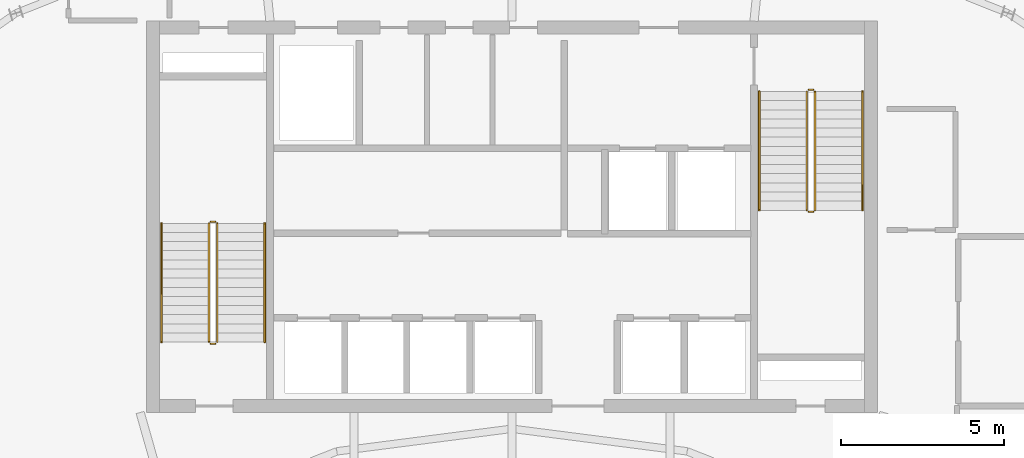
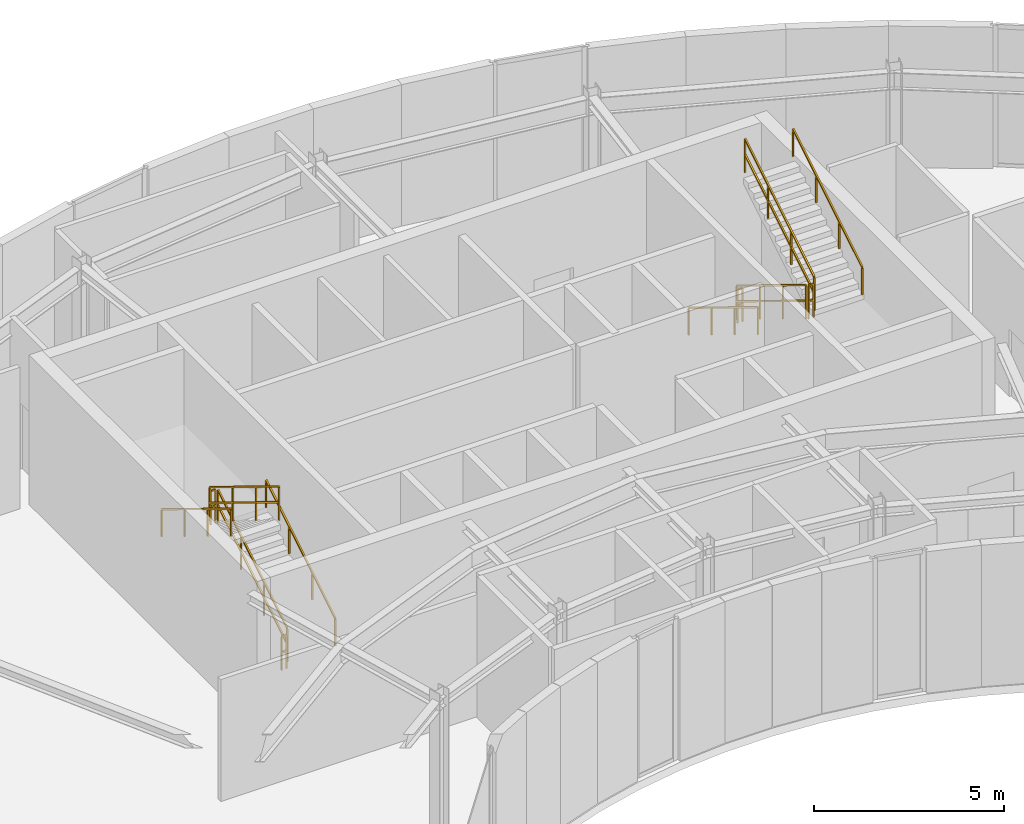
# One storey, part 10 of 10: 12 railings.
"""IFC4 building model written with IfcOpenShell, lengths in metres."""

from ifc_helpers import new_model, si_unit, direction, frame, origin, origin_2d, place, context, subcontext, project, spatial, rectangle, extrude, material, type_object, element, save


model = new_model("IFC4")

# Units and contexts
model_context = context("Model", 3, precision=1e-05, world=origin(), true_north=direction((0.0, 1.0)))
body_context = subcontext(model_context, "Body", "Model", "MODEL_VIEW")
ifc_project = project(units=[si_unit("LENGTHUNIT", "METRE"), si_unit("AREAUNIT", "SQUARE_METRE"), si_unit("VOLUMEUNIT", "CUBIC_METRE"), si_unit("PLANEANGLEUNIT", "RADIAN"), si_unit("MASSUNIT", "GRAM", prefix="KILO")], contexts=[model_context])

# Site, building, storey
site_placement = place(None, origin())
site = spatial("IfcSite", under=ifc_project, at=site_placement, CompositionType="ELEMENT")
building_placement = place(site_placement, origin())
building = spatial("IfcBuilding", under=site, at=building_placement, Name="Breltana Convention Tower", CompositionType="ELEMENT")
storey_placement = place(building_placement, frame((0.0, 0.0, 303.0)))
storey = spatial("IfcBuildingStorey", under=building, at=storey_placement, Name="L74", CompositionType="ELEMENT", Elevation=303.0)

# Railings
ifc_material_1 = material(Name="Steel S275 Painted", Category="steel")
railing_type_1 = type_object("IfcRailingType", Name="RL-STAIR-GUARD-1100", PredefinedType="GUARDRAIL", material=ifc_material_1)
railing_1_placement = place(storey_placement, frame((38.9599609375, 62.360107421875, 0.17138671875)))
element("IfcRailing", 1, at=railing_1_placement, inside=storey, type_object=railing_type_1, Name="L74 ST-1 stair guard 1", PredefinedType="GUARDRAIL", context=body_context, shape_type="SweptSolid", body=[
    extrude(rectangle(XDim=0.048095703125, YDim=0.048095703125, at=origin_2d()), frame((0.0, 0.0, 1.076171875), z_axis=(0.0, 0.852850264322, 0.5221555579), x_axis=(-1.0, 0.0, 0.0)), (0.0, 0.0, 1.0), 4.267822265625),
    extrude(rectangle(XDim=0.048095703125, YDim=0.048095703125, at=origin_2d()), frame((0.0, 0.0, 0.572021484375), z_axis=(0.0, 0.852850264322, 0.5221555579), x_axis=(-1.0, 0.0, 0.0)), (0.0, 0.0, 1.0), 4.267822265625),
    extrude(rectangle(XDim=0.0419921875, YDim=0.0419921875, at=origin_2d()), origin(), (0.0, 0.0, 1.0), 1.052001953125),
    extrude(rectangle(XDim=0.0419921875, YDim=0.0419921875, at=origin_2d()), frame((0.0, 1.21337890625, 0.742919921875)), (0.0, 0.0, 1.0), 1.052001953125),
    extrude(rectangle(XDim=0.0419921875, YDim=0.0419921875, at=origin_2d()), frame((0.0, 2.426513671875, 1.485595703125)), (0.0, 0.0, 1.0), 1.052001953125),
    extrude(rectangle(XDim=0.0419921875, YDim=0.0419921875, at=origin_2d()), frame((0.0, 3.639892578125, 2.228515625)), (0.0, 0.0, 1.0), 1.052001953125),
])
railing_2_placement = place(storey_placement, frame((38.909912109375, 66.050048828125, 2.39990234375)))
element("IfcRailing", 2, at=railing_2_placement, inside=storey, type_object=railing_type_1, Name="L74 ST-1 stair guard 2", PredefinedType="GUARDRAIL", context=body_context, shape_type="SweptSolid", body=[
    extrude(rectangle(XDim=0.048095703125, YDim=0.048095703125, at=origin_2d()), frame((0.0, 0.0, 1.076171875), z_axis=(-1.0, 0.0, 0.0), x_axis=(0.0, -1.0, 0.0)), (0.0, 0.0, 1.0), 0.14990234375),
    extrude(rectangle(XDim=0.048095703125, YDim=0.048095703125, at=origin_2d()), frame((0.0, 0.0, 0.572021484375), z_axis=(-1.0, 0.0, 0.0), x_axis=(0.0, -1.0, 0.0)), (0.0, 0.0, 1.0), 0.14990234375),
    extrude(rectangle(XDim=0.0419921875, YDim=0.0419921875, at=origin_2d()), origin(), (0.0, 0.0, 1.0), 1.052001953125),
    extrude(rectangle(XDim=0.0419921875, YDim=0.0419921875, at=origin_2d()), frame((-0.14990234375, 0.0, 0.0)), (0.0, 0.0, 1.0), 1.052001953125),
])
railing_3_placement = place(storey_placement, frame((38.7099609375, 66.0, 2.571533203125)))
element("IfcRailing", 3, at=railing_3_placement, inside=storey, type_object=railing_type_1, Name="L74 ST-1 stair guard 3", PredefinedType="GUARDRAIL", context=body_context, shape_type="SweptSolid", body=[
    extrude(rectangle(XDim=0.048095703125, YDim=0.048095703125, at=origin_2d()), frame((0.0, 0.0, 1.076171875), z_axis=(0.0, -0.852850264322, 0.5221555579), x_axis=(1.0, 0.0, 0.0)), (0.0, 0.0, 1.0), 4.267822265625),
    extrude(rectangle(XDim=0.048095703125, YDim=0.048095703125, at=origin_2d()), frame((0.0, 0.0, 0.572021484375), z_axis=(0.0, -0.852850264322, 0.5221555579), x_axis=(1.0, 0.0, 0.0)), (0.0, 0.0, 1.0), 4.267822265625),
    extrude(rectangle(XDim=0.0419921875, YDim=0.0419921875, at=origin_2d()), origin(), (0.0, 0.0, 1.0), 1.052001953125),
    extrude(rectangle(XDim=0.0419921875, YDim=0.0419921875, at=origin_2d()), frame((0.0, -1.21337890625, 0.742919921875)), (0.0, 0.0, 1.0), 1.052001953125),
    extrude(rectangle(XDim=0.0419921875, YDim=0.0419921875, at=origin_2d()), frame((0.0, -2.426513671875, 1.485595703125)), (0.0, 0.0, 1.0), 1.052001953125),
    extrude(rectangle(XDim=0.0419921875, YDim=0.0419921875, at=origin_2d()), frame((0.0, -3.639892578125, 2.228515625)), (0.0, 0.0, 1.0), 1.052001953125),
])
railing_4_placement = place(storey_placement, frame((38.909912109375, 62.31005859375, 0.0)))
element("IfcRailing", 4, at=railing_4_placement, inside=storey, type_object=railing_type_1, Name="L74 ST-1 stair guard 4", PredefinedType="GUARDRAIL", context=body_context, shape_type="SweptSolid", body=[
    extrude(rectangle(XDim=0.048095703125, YDim=0.048095703125, at=origin_2d()), frame((0.0, 0.0, 1.076171875), z_axis=(-1.0, 0.0, 0.0), x_axis=(0.0, -1.0, 0.0)), (0.0, 0.0, 1.0), 0.14990234375),
    extrude(rectangle(XDim=0.048095703125, YDim=0.048095703125, at=origin_2d()), frame((0.0, 0.0, 0.572021484375), z_axis=(-1.0, 0.0, 0.0), x_axis=(0.0, -1.0, 0.0)), (0.0, 0.0, 1.0), 0.14990234375),
    extrude(rectangle(XDim=0.0419921875, YDim=0.0419921875, at=origin_2d()), origin(), (0.0, 0.0, 1.0), 1.052001953125),
    extrude(rectangle(XDim=0.0419921875, YDim=0.0419921875, at=origin_2d()), frame((-0.14990234375, 0.0, 0.0)), (0.0, 0.0, 1.0), 1.052001953125),
])
railing_5_placement = place(storey_placement, frame((57.0400390625, 70.0400390625, 0.17138671875)))
element("IfcRailing", 5, at=railing_5_placement, inside=storey, type_object=railing_type_1, Name="L74 ST-2 stair guard 1", PredefinedType="GUARDRAIL", context=body_context, shape_type="SweptSolid", body=[
    extrude(rectangle(XDim=0.048095703125, YDim=0.048095703125, at=origin_2d()), frame((0.0, 0.0, 1.076171875), z_axis=(0.0, -0.852865859571, 0.52213008492), x_axis=(1.0, 0.0, 0.0)), (0.0, 0.0, 1.0), 4.26806640625),
    extrude(rectangle(XDim=0.048095703125, YDim=0.048095703125, at=origin_2d()), frame((0.0, 0.0, 0.572021484375), z_axis=(0.0, -0.852865859571, 0.52213008492), x_axis=(1.0, 0.0, 0.0)), (0.0, 0.0, 1.0), 4.26806640625),
    extrude(rectangle(XDim=0.0419921875, YDim=0.0419921875, at=origin_2d()), origin(), (0.0, 0.0, 1.0), 1.052001953125),
    extrude(rectangle(XDim=0.0419921875, YDim=0.0419921875, at=origin_2d()), frame((0.0, -1.21337890625, 0.742919921875)), (0.0, 0.0, 1.0), 1.052001953125),
    extrude(rectangle(XDim=0.0419921875, YDim=0.0419921875, at=origin_2d()), frame((0.0, -2.4267578125, 1.485595703125)), (0.0, 0.0, 1.0), 1.052001953125),
    extrude(rectangle(XDim=0.0419921875, YDim=0.0419921875, at=origin_2d()), frame((0.0, -3.64013671875, 2.228515625)), (0.0, 0.0, 1.0), 1.052001953125),
])
railing_6_placement = place(storey_placement, frame((57.090087890625, 66.35009765625, 2.39990234375)))
element("IfcRailing", 6, at=railing_6_placement, inside=storey, type_object=railing_type_1, Name="L74 ST-2 stair guard 2", PredefinedType="GUARDRAIL", context=body_context, shape_type="SweptSolid", body=[
    extrude(rectangle(XDim=0.048095703125, YDim=0.048095703125, at=origin_2d()), frame((0.0, 0.0, 1.076171875), z_axis=(1.0, 0.0, 0.0), x_axis=(0.0, 1.0, 0.0)), (0.0, 0.0, 1.0), 0.14990234375),
    extrude(rectangle(XDim=0.048095703125, YDim=0.048095703125, at=origin_2d()), frame((0.0, 0.0, 0.572021484375), z_axis=(1.0, 0.0, 0.0), x_axis=(0.0, 1.0, 0.0)), (0.0, 0.0, 1.0), 0.14990234375),
    extrude(rectangle(XDim=0.0419921875, YDim=0.0419921875, at=origin_2d()), origin(), (0.0, 0.0, 1.0), 1.052001953125),
    extrude(rectangle(XDim=0.0419921875, YDim=0.0419921875, at=origin_2d()), frame((0.14990234375, 0.0, 0.0)), (0.0, 0.0, 1.0), 1.052001953125),
])
railing_7_placement = place(storey_placement, frame((57.2900390625, 66.39990234375, 2.571533203125)))
element("IfcRailing", 7, at=railing_7_placement, inside=storey, type_object=railing_type_1, Name="L74 ST-2 stair guard 3", PredefinedType="GUARDRAIL", context=body_context, shape_type="SweptSolid", body=[
    extrude(rectangle(XDim=0.048095703125, YDim=0.048095703125, at=origin_2d()), frame((0.0, 0.0, 1.076171875), z_axis=(0.0, 0.852865859571, 0.52213008492), x_axis=(-1.0, 0.0, 0.0)), (0.0, 0.0, 1.0), 4.26806640625),
    extrude(rectangle(XDim=0.048095703125, YDim=0.048095703125, at=origin_2d()), frame((0.0, 0.0, 0.572021484375), z_axis=(0.0, 0.852865859571, 0.52213008492), x_axis=(-1.0, 0.0, 0.0)), (0.0, 0.0, 1.0), 4.26806640625),
    extrude(rectangle(XDim=0.0419921875, YDim=0.0419921875, at=origin_2d()), origin(), (0.0, 0.0, 1.0), 1.052001953125),
    extrude(rectangle(XDim=0.0419921875, YDim=0.0419921875, at=origin_2d()), frame((0.0, 1.21337890625, 0.742919921875)), (0.0, 0.0, 1.0), 1.052001953125),
    extrude(rectangle(XDim=0.0419921875, YDim=0.0419921875, at=origin_2d()), frame((0.0, 2.4267578125, 1.485595703125)), (0.0, 0.0, 1.0), 1.052001953125),
    extrude(rectangle(XDim=0.0419921875, YDim=0.0419921875, at=origin_2d()), frame((0.0, 3.64013671875, 2.228515625)), (0.0, 0.0, 1.0), 1.052001953125),
])
railing_8_placement = place(storey_placement, frame((57.090087890625, 70.090087890625, 0.0)))
element("IfcRailing", 8, at=railing_8_placement, inside=storey, type_object=railing_type_1, Name="L74 ST-2 stair guard 4", PredefinedType="GUARDRAIL", context=body_context, shape_type="SweptSolid", body=[
    extrude(rectangle(XDim=0.048095703125, YDim=0.048095703125, at=origin_2d()), frame((0.0, 0.0, 1.076171875), z_axis=(1.0, 0.0, 0.0), x_axis=(0.0, 1.0, 0.0)), (0.0, 0.0, 1.0), 0.14990234375),
    extrude(rectangle(XDim=0.048095703125, YDim=0.048095703125, at=origin_2d()), frame((0.0, 0.0, 0.572021484375), z_axis=(1.0, 0.0, 0.0), x_axis=(0.0, 1.0, 0.0)), (0.0, 0.0, 1.0), 0.14990234375),
    extrude(rectangle(XDim=0.0419921875, YDim=0.0419921875, at=origin_2d()), origin(), (0.0, 0.0, 1.0), 1.052001953125),
    extrude(rectangle(XDim=0.0419921875, YDim=0.0419921875, at=origin_2d()), frame((0.14990234375, 0.0, 0.0)), (0.0, 0.0, 1.0), 1.052001953125),
])
ifc_material_2 = material(Name="Stainless Steel 316L", Category="steel")
railing_type_2 = type_object("IfcRailingType", Name="RL-STAIR-HANDRAIL-900", PredefinedType="HANDRAIL", material=ifc_material_2)
railing_9_placement = place(storey_placement, frame((40.419921875, 62.360107421875, 0.17138671875)))
element("IfcRailing", 9, at=railing_9_placement, inside=storey, type_object=railing_type_2, Name="L74 ST-1 stair handrail 1", PredefinedType="HANDRAIL", context=body_context, shape_type="SweptSolid", body=[
    extrude(rectangle(XDim=0.048095703125, YDim=0.048095703125, at=origin_2d()), frame((0.0, 0.0, 0.8759765625), z_axis=(0.0, 0.852850264322, 0.5221555579), x_axis=(-1.0, 0.0, 0.0)), (0.0, 0.0, 1.0), 4.267822265625),
    extrude(rectangle(XDim=0.0419921875, YDim=0.0419921875, at=origin_2d()), origin(), (0.0, 0.0, 1.0), 0.851806640625),
    extrude(rectangle(XDim=0.0419921875, YDim=0.0419921875, at=origin_2d()), frame((0.0, 1.21337890625, 0.742919921875)), (0.0, 0.0, 1.0), 0.851806640625),
    extrude(rectangle(XDim=0.0419921875, YDim=0.0419921875, at=origin_2d()), frame((0.0, 2.426513671875, 1.485595703125)), (0.0, 0.0, 1.0), 0.851806640625),
    extrude(rectangle(XDim=0.0419921875, YDim=0.0419921875, at=origin_2d()), frame((0.0, 3.639892578125, 2.228515625)), (0.0, 0.0, 1.0), 0.851806640625),
])
railing_10_placement = place(storey_placement, frame((37.25, 66.0, 2.571533203125)))
element("IfcRailing", 10, at=railing_10_placement, inside=storey, type_object=railing_type_2, Name="L74 ST-1 stair handrail 2", PredefinedType="HANDRAIL", context=body_context, shape_type="SweptSolid", body=[
    extrude(rectangle(XDim=0.048095703125, YDim=0.048095703125, at=origin_2d()), frame((0.0, 0.0, 0.8759765625), z_axis=(0.0, -0.852850264322, 0.5221555579), x_axis=(1.0, 0.0, 0.0)), (0.0, 0.0, 1.0), 4.267822265625),
    extrude(rectangle(XDim=0.0419921875, YDim=0.0419921875, at=origin_2d()), origin(), (0.0, 0.0, 1.0), 0.851806640625),
    extrude(rectangle(XDim=0.0419921875, YDim=0.0419921875, at=origin_2d()), frame((0.0, -1.21337890625, 0.742919921875)), (0.0, 0.0, 1.0), 0.851806640625),
    extrude(rectangle(XDim=0.0419921875, YDim=0.0419921875, at=origin_2d()), frame((0.0, -2.426513671875, 1.485595703125)), (0.0, 0.0, 1.0), 0.851806640625),
    extrude(rectangle(XDim=0.0419921875, YDim=0.0419921875, at=origin_2d()), frame((0.0, -3.639892578125, 2.228515625)), (0.0, 0.0, 1.0), 0.851806640625),
])
railing_11_placement = place(storey_placement, frame((55.580078125, 70.0400390625, 0.17138671875)))
element("IfcRailing", 11, at=railing_11_placement, inside=storey, type_object=railing_type_2, Name="L74 ST-2 stair handrail 1", PredefinedType="HANDRAIL", context=body_context, shape_type="SweptSolid", body=[
    extrude(rectangle(XDim=0.048095703125, YDim=0.048095703125, at=origin_2d()), frame((0.0, 0.0, 0.8759765625), z_axis=(0.0, -0.852865859571, 0.52213008492), x_axis=(1.0, 0.0, 0.0)), (0.0, 0.0, 1.0), 4.26806640625),
    extrude(rectangle(XDim=0.0419921875, YDim=0.0419921875, at=origin_2d()), origin(), (0.0, 0.0, 1.0), 0.851806640625),
    extrude(rectangle(XDim=0.0419921875, YDim=0.0419921875, at=origin_2d()), frame((0.0, -1.21337890625, 0.742919921875)), (0.0, 0.0, 1.0), 0.851806640625),
    extrude(rectangle(XDim=0.0419921875, YDim=0.0419921875, at=origin_2d()), frame((0.0, -2.4267578125, 1.485595703125)), (0.0, 0.0, 1.0), 0.851806640625),
    extrude(rectangle(XDim=0.0419921875, YDim=0.0419921875, at=origin_2d()), frame((0.0, -3.64013671875, 2.228515625)), (0.0, 0.0, 1.0), 0.851806640625),
])
railing_12_placement = place(storey_placement, frame((58.75, 66.39990234375, 2.571533203125)))
element("IfcRailing", 12, at=railing_12_placement, inside=storey, type_object=railing_type_2, Name="L74 ST-2 stair handrail 2", PredefinedType="HANDRAIL", context=body_context, shape_type="SweptSolid", body=[
    extrude(rectangle(XDim=0.048095703125, YDim=0.048095703125, at=origin_2d()), frame((0.0, 0.0, 0.8759765625), z_axis=(0.0, 0.852865859571, 0.52213008492), x_axis=(-1.0, 0.0, 0.0)), (0.0, 0.0, 1.0), 4.26806640625),
    extrude(rectangle(XDim=0.0419921875, YDim=0.0419921875, at=origin_2d()), origin(), (0.0, 0.0, 1.0), 0.851806640625),
    extrude(rectangle(XDim=0.0419921875, YDim=0.0419921875, at=origin_2d()), frame((0.0, 1.21337890625, 0.742919921875)), (0.0, 0.0, 1.0), 0.851806640625),
    extrude(rectangle(XDim=0.0419921875, YDim=0.0419921875, at=origin_2d()), frame((0.0, 2.4267578125, 1.485595703125)), (0.0, 0.0, 1.0), 0.851806640625),
    extrude(rectangle(XDim=0.0419921875, YDim=0.0419921875, at=origin_2d()), frame((0.0, 3.64013671875, 2.228515625)), (0.0, 0.0, 1.0), 0.851806640625),
])

save(model, "model.ifc")
